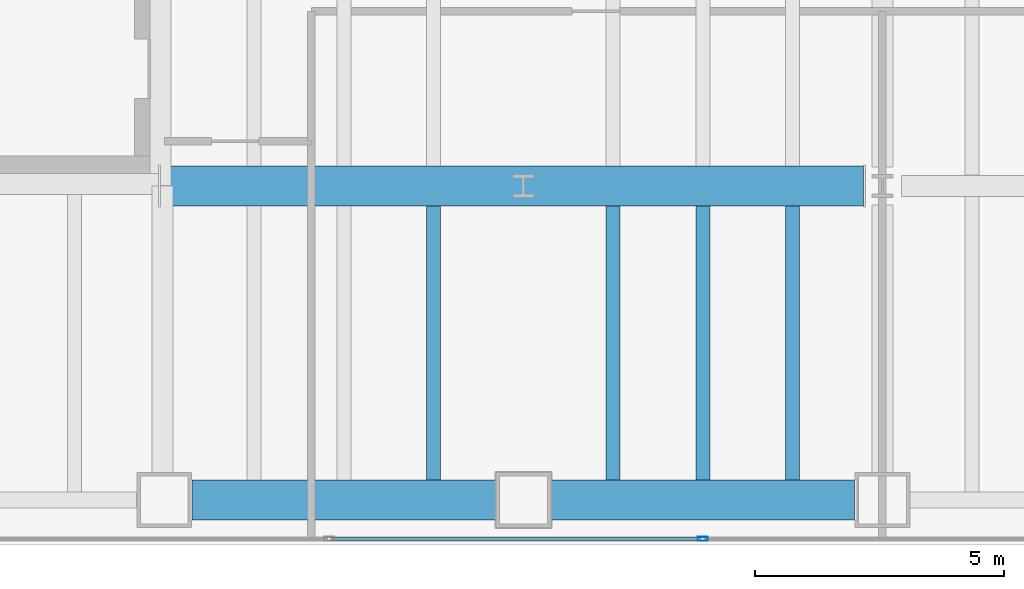
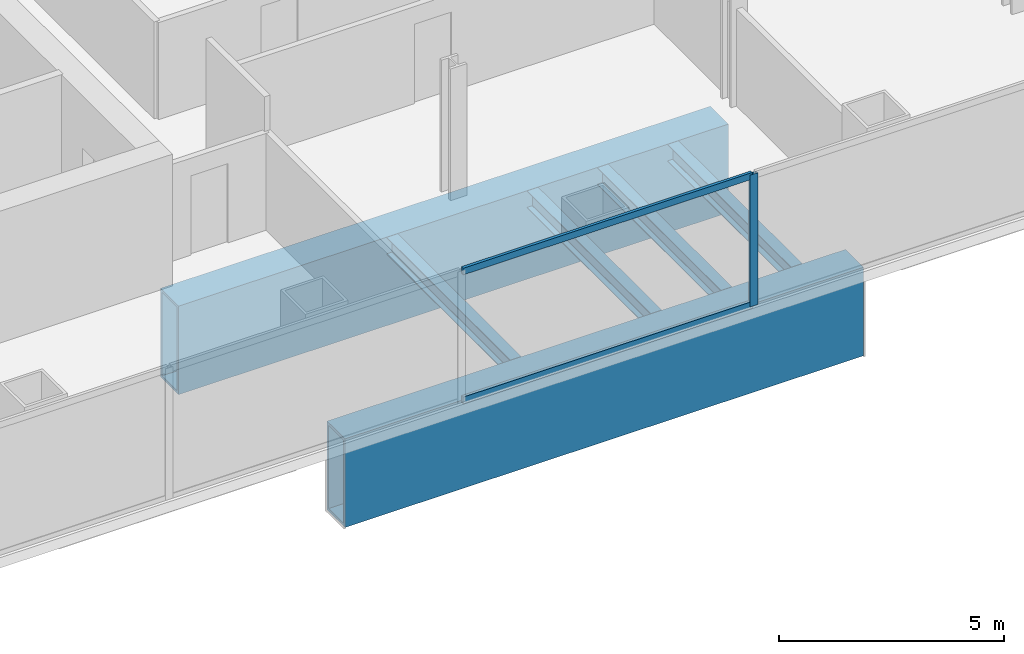
# One storey, part 4 of 24: 6 beams, 3 members, 1 element without a shape of its own.
"""IFC4 building model written with IfcOpenShell, lengths in metres."""

from ifc_helpers import new_model, si_unit, direction, frame, origin, origin_2d, place, context, subcontext, project, spatial, hollow_rectangle, i_section, extrude, material, material_profile, profile_set, type_object, element, aggregate, save


model = new_model("IFC4")

# Units and contexts
model_context = context("Model", 3, precision=1e-05, world=origin(), true_north=direction((0.0, 1.0)))
body_context = subcontext(model_context, "Body", "Model", "MODEL_VIEW")
ifc_project = project(units=[si_unit("LENGTHUNIT", "METRE"), si_unit("AREAUNIT", "SQUARE_METRE"), si_unit("VOLUMEUNIT", "CUBIC_METRE"), si_unit("PLANEANGLEUNIT", "RADIAN"), si_unit("MASSUNIT", "GRAM", prefix="KILO")], contexts=[model_context])

# Site, building, storey
site_placement = place(None, origin())
site = spatial("IfcSite", under=ifc_project, at=site_placement, CompositionType="ELEMENT")
building_placement = place(site_placement, origin())
building = spatial("IfcBuilding", under=site, at=building_placement, Name="Cobrela Telecom Tower", CompositionType="ELEMENT")
storey_placement = place(building_placement, frame((0.0, 0.0, 31.14990234375)))
storey = spatial("IfcBuildingStorey", under=building, at=storey_placement, Name="L07", CompositionType="ELEMENT", Elevation=31.14990234375)

# Beams
ifc_material_1 = material(Name="Steel ASTM A992 Grade 50", Category="steel")
ifc_material_profile_1 = material_profile(ifc_material_1, i_section(OverallWidth=0.281982421875, OverallDepth=0.467041015625, WebThickness=0.01220703125, FlangeThickness=0.01953125, FilletRadius=0.012939453125, at=origin_2d()), Name="W18X86")
ifc_profile_set_1 = profile_set([ifc_material_profile_1], Name="Steel ASTM A992 Grade 50")
beam_type_1 = type_object("IfcBeamType", Name="BM-JOIST-02", PredefinedType="JOIST", material=ifc_profile_set_1)
for number, where, z_axis, x_axis, name in (
    (1, (19.800048828125, 1.304931640625, -0.513427734375), (0.0, 1.0, 0.0), (-1.0, 0.0, 0.0), "L07 Secondary Composite Floor Beam J19"),
    (2, (23.39990234375, 1.304931640625, -0.513427734375), (0.0, 1.0, 0.0), (-1.0, 0.0, 0.0), "L07 Secondary Composite Floor Beam J25"),
    (3, (25.199951171875, 1.304931640625, -0.513427734375), (0.0, 1.0, 0.0), (-1.0, 0.0, 0.0), "L07 Secondary Composite Floor Beam J31"),
    (4, (27.0, 1.304931640625, -0.513427734375), (0.0, 1.0, 0.0), (-1.0, 0.0, 0.0), "L07 Secondary Composite Floor Beam J36"),
):
    element("IfcBeam", number, at=place(storey_placement, frame(where, z_axis=z_axis, x_axis=x_axis)), inside=storey, type_object=beam_type_1, Name=name, PredefinedType="JOIST", context=body_context, shape_type="SweptSolid", body=[
        extrude(i_section(OverallWidth=0.281982421875, OverallDepth=0.467041015625, WebThickness=0.01220703125, FlangeThickness=0.01953125, FilletRadius=0.012939453125, at=origin_2d()), origin(), (0.0, 0.0, 1.0), 5.489990234375),
    ])
ifc_material_2 = material(Name="Steel ASTM A572 Grade 50", Category="steel")
ifc_material_profile_2 = material_profile(ifc_material_2, hollow_rectangle(XDim=0.800048828125, YDim=2.39990234375, WallThickness=0.070068359375, at=origin_2d()), Name="BOX 2400x800x70")
ifc_profile_set_2 = profile_set([ifc_material_profile_2], Name="Steel ASTM A572 Grade 50")
beam_type_2 = type_object("IfcBeamType", Name="BM-TRG-2400", PredefinedType="USERDEFINED", material=ifc_profile_set_2)
beam_1_placement = place(storey_placement, frame((14.955078125, 0.89990234375, -1.47998046875), z_axis=(1.0, 0.0, 0.0), x_axis=(0.0, 1.0, 0.0)))
element("IfcBeam", 5, at=beam_1_placement, inside=storey, type_object=beam_type_2, Name="L07 Transfer Girder 01", ObjectType="GIRDER", PredefinedType="USERDEFINED", context=body_context, shape_type="SweptSolid", body=[
    extrude(hollow_rectangle(XDim=0.800048828125, YDim=2.39990234375, WallThickness=0.070068359375, at=origin_2d()), origin(), (0.0, 0.0, 1.0), 13.2900390625),
])
beam_2_placement = place(storey_placement, frame((14.324951171875, 7.199951171875, -1.47998046875), z_axis=(1.0, 0.0, 0.0), x_axis=(0.0, 1.0, 0.0)))
element("IfcBeam", 6, at=beam_2_placement, inside=storey, type_object=beam_type_2, Name="L07 Transfer Girder 02", ObjectType="GIRDER", PredefinedType="USERDEFINED", context=body_context, shape_type="SweptSolid", body=[
    extrude(hollow_rectangle(XDim=0.800048828125, YDim=2.39990234375, WallThickness=0.070068359375, at=origin_2d()), origin(), (0.0, 0.0, 1.0), 14.094970703125),
])

# Curtain wall, members
ifc_material_3 = material(Name="Anodized Bronze Aluminium 6063-T6", Category="aluminium")
curtain_wall_type = type_object("IfcCurtainWallType", Name="CW-SYS-DATA", PredefinedType="USERDEFINED", material=ifc_material_3)
curtain_wall_placement = place(storey_placement, origin())
curtain_wall = element("IfcCurtainWall", 7, at=curtain_wall_placement, inside=storey, type_object=curtain_wall_type, Name="L07 Unitised Bronze Curtain Wall 17", ObjectType="UNITISED CURTAIN WALL", PredefinedType="USERDEFINED")
ifc_material_profile_3 = material_profile(ifc_material_3, hollow_rectangle(XDim=0.080078125, YDim=0.199951171875, WallThickness=0.00390625, at=origin_2d()), Name="ALU 80x200x4")
ifc_profile_set_3 = profile_set([ifc_material_profile_3], Name="Anodized Bronze Aluminium 6063-T6")
member_type_1 = type_object("IfcMemberType", Name="CW-SYS-DATA-MUL", PredefinedType="MULLION", material=ifc_profile_set_3)
member_1_placement = place(storey_placement, frame((25.199951171875, 0.1201171875, 0.0), z_axis=(0.0, 0.0, 1.0), x_axis=(0.0, -1.0, 0.0)))
member_1 = element("IfcMember", 8, at=member_1_placement, type_object=member_type_1, Name="CW-DATA mullion 4", PredefinedType="MULLION", context=body_context, shape_type="SweptSolid", body=[
    extrude(hollow_rectangle(XDim=0.080078125, YDim=0.199951171875, WallThickness=0.00390625, at=origin_2d()), origin(), (0.0, 0.0, 1.0), 3.570068359375),
])
ifc_material_profile_4 = material_profile(ifc_material_3, hollow_rectangle(XDim=0.074951171875, YDim=0.179931640625, WallThickness=0.00390625, at=origin_2d()), Name="ALU 75x180x4")
ifc_profile_set_4 = profile_set([ifc_material_profile_4], Name="Anodized Bronze Aluminium 6063-T6")
member_type_2 = type_object("IfcMemberType", Name="CW-SYS-DATA-TRN", PredefinedType="USERDEFINED", material=ifc_profile_set_4)
member_2_placement = place(storey_placement, frame((25.159912109375, 0.1201171875, 0.03759765625), z_axis=(-1.0, 0.0, 0.0), x_axis=(0.0, -1.0, 0.0)))
member_2 = element("IfcMember", 9, at=member_2_placement, type_object=member_type_2, Name="CW-DATA transom 4.1", ObjectType="TRANSOM", PredefinedType="USERDEFINED", context=body_context, shape_type="SweptSolid", body=[
    extrude(hollow_rectangle(XDim=0.074951171875, YDim=0.179931640625, WallThickness=0.00390625, at=origin_2d()), origin(), (0.0, 0.0, 1.0), 7.41650390625),
])
member_3_placement = place(storey_placement, frame((25.159912109375, 0.1201171875, 3.53271484375), z_axis=(-1.0, 0.0, 0.0), x_axis=(0.0, -1.0, 0.0)))
member_3 = element("IfcMember", 10, at=member_3_placement, type_object=member_type_2, Name="CW-DATA transom 4.2", ObjectType="TRANSOM", PredefinedType="USERDEFINED", context=body_context, shape_type="SweptSolid", body=[
    extrude(hollow_rectangle(XDim=0.074951171875, YDim=0.179931640625, WallThickness=0.00390625, at=origin_2d()), origin(), (0.0, 0.0, 1.0), 7.41650390625),
])
aggregate(curtain_wall, [member_1, member_2, member_3])

save(model, "model.ifc")
